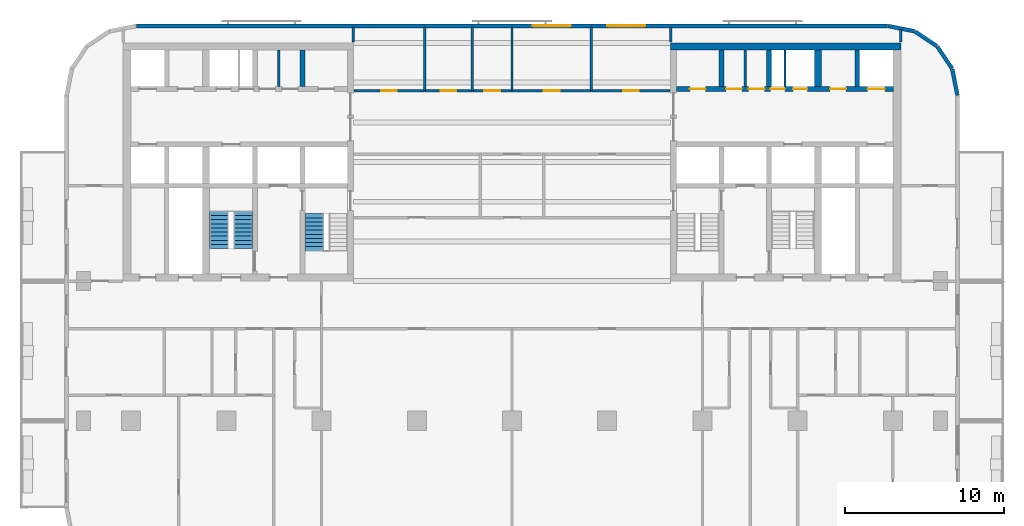
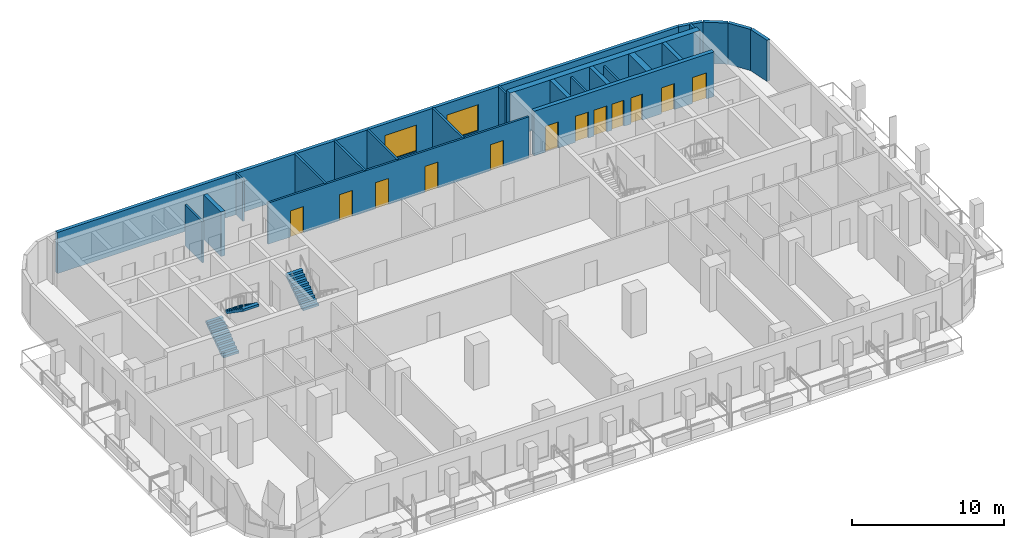
# One storey, part 7 of 11: 23 walls, 12 doors, 3 stair flights, 2 windows, 14 openings, 2 elements without a shape of their own.
"""IFC4 building model written with IfcOpenShell, lengths in metres."""

from ifc_helpers import new_model, si_unit, direction, frame, frame_2d, origin, place, context, subcontext, project, spatial, polyline, rectangle, outline, extrude, material, layer, layer_set, type_object, element, fill, aggregate, save


model = new_model("IFC4")

# Units and contexts
model_context = context("Model", 3, precision=1e-05, world=origin(), true_north=direction((0.0, 1.0)))
body_context = subcontext(model_context, "Body", "Model", "MODEL_VIEW")
ifc_project = project(units=[si_unit("LENGTHUNIT", "METRE"), si_unit("AREAUNIT", "SQUARE_METRE"), si_unit("VOLUMEUNIT", "CUBIC_METRE"), si_unit("PLANEANGLEUNIT", "RADIAN"), si_unit("MASSUNIT", "GRAM", prefix="KILO")], contexts=[model_context])

# Site, building, storey
site_placement = place(None, origin())
site = spatial("IfcSite", under=ifc_project, at=site_placement, CompositionType="ELEMENT")
building_placement = place(site_placement, origin())
building = spatial("IfcBuilding", under=site, at=building_placement, Name="Torana Hotel and Residences", CompositionType="ELEMENT")
storey_placement = place(building_placement, frame((0.0, 0.0, 123.60009765625)))
storey = spatial("IfcBuildingStorey", under=building, at=storey_placement, Name="L31", CompositionType="ELEMENT", Elevation=123.60009765625)

# Wall
ifc_material_1 = material(Name="Concrete C70/85", Category="concrete")
ifc_layer_1 = layer(ifc_material_1, 0.300048828125)
ifc_layer_set_1 = layer_set([ifc_layer_1], Name="CORE WALL 300 C70/85")
wall_type_1 = type_object("IfcWallType", Name="CORE WALL 300 C70/85", PredefinedType="SHEAR", material=ifc_layer_set_1)
wall_1_placement = place(storey_placement, frame((-13.199951171875, -2.75, 0.0), z_axis=(0.0, 0.0, 1.0), x_axis=(0.0, 1.0, 0.0)))
element("IfcWall", 1, at=wall_1_placement, inside=storey, type_object=wall_type_1, Name="Core wall W x3.05-N", PredefinedType="SHEAR", context=body_context, shape_type="SweptSolid", body=[
    extrude(rectangle(XDim=2.300048828125, YDim=0.300048828125, at=frame_2d((1.14990234375, 0.0))), origin(), (0.0, 0.0, 1.0), 3.599853515625),
])

# Wall, openings, doors
wall_2_placement = place(storey_placement, frame((10.35009765625, -2.89990234375, 0.0), z_axis=(0.0, 0.0, 1.0), x_axis=(1.0, 0.0, 0.0)))
wall_2 = element("IfcWall", 2, at=wall_2_placement, inside=storey, type_object=wall_type_1, Name="Core wall E row-N", PredefinedType="SHEAR", context=body_context, shape_type="SweptSolid", body=[
    extrude(rectangle(XDim=13.699951171875, YDim=0.300048828125, at=frame_2d((6.85009765625, 0.0))), origin(), (0.0, 0.0, 1.0), 3.599853515625),
])
opening_1_placement = place(wall_2_placement, frame((12.050048828125, 0.0, 0.0)))
opening_1 = element("IfcOpeningElement", 3, at=opening_1_placement, cuts=wall_2, Name="Opening LD", PredefinedType="OPENING", context=body_context, shape_type="SweptSolid", body=[
    extrude(rectangle(XDim=1.10009765625, YDim=2.10009765625, at=frame_2d((0.550048828125, 1.050048828125))), frame((0.0, 0.159912109375, 0.0), z_axis=(0.0, -1.0, 0.0), x_axis=(1.0, 0.0, 0.0)), (0.0, 0.0, 1.0), 0.320068359375),
])
opening_2_placement = place(wall_2_placement, frame((5.9375, 0.0, 0.0)))
opening_2 = element("IfcOpeningElement", 4, at=opening_2_placement, cuts=wall_2, Name="Opening L31-23", PredefinedType="OPENING", context=body_context, shape_type="SweptSolid", body=[
    extrude(rectangle(XDim=0.89990234375, YDim=2.10009765625, at=frame_2d((0.449951171875, 1.050048828125))), frame((0.0, 0.159912109375, 0.0), z_axis=(0.0, -1.0, 0.0), x_axis=(1.0, 0.0, 0.0)), (0.0, 0.0, 1.0), 0.320068359375),
])
opening_3_placement = place(wall_2_placement, frame((7.362548828125, 0.0, 0.0)))
opening_3 = element("IfcOpeningElement", 5, at=opening_3_placement, cuts=wall_2, Name="Opening L31-24", PredefinedType="OPENING", context=body_context, shape_type="SweptSolid", body=[
    extrude(rectangle(XDim=0.89990234375, YDim=2.10009765625, at=frame_2d((0.449951171875, 1.050048828125))), frame((0.0, 0.159912109375, 0.0), z_axis=(0.0, -1.0, 0.0), x_axis=(1.0, 0.0, 0.0)), (0.0, 0.0, 1.0), 0.320068359375),
])
opening_4_placement = place(wall_2_placement, frame((0.85009765625, 0.0, 0.0)))
opening_4 = element("IfcOpeningElement", 6, at=opening_4_placement, cuts=wall_2, Name="Opening L31-25", PredefinedType="OPENING", context=body_context, shape_type="SweptSolid", body=[
    extrude(rectangle(XDim=1.0, YDim=2.10009765625, at=frame_2d((0.5, 1.050048828125))), frame((0.0, 0.159912109375, 0.0), z_axis=(0.0, -1.0, 0.0), x_axis=(1.0, 0.0, 0.0)), (0.0, 0.0, 1.0), 0.320068359375),
])
opening_5_placement = place(wall_2_placement, frame((3.137451171875, 0.0, 0.0)))
opening_5 = element("IfcOpeningElement", 7, at=opening_5_placement, cuts=wall_2, Name="Opening L31-26", PredefinedType="OPENING", context=body_context, shape_type="SweptSolid", body=[
    extrude(rectangle(XDim=1.0, YDim=2.10009765625, at=frame_2d((0.5, 1.050048828125))), frame((0.0, 0.159912109375, 0.0), z_axis=(0.0, -1.0, 0.0), x_axis=(1.0, 0.0, 0.0)), (0.0, 0.0, 1.0), 0.320068359375),
])
opening_6_placement = place(wall_2_placement, frame((4.5625, 0.0, 0.0)))
opening_6 = element("IfcOpeningElement", 8, at=opening_6_placement, cuts=wall_2, Name="Opening L31-27", PredefinedType="OPENING", context=body_context, shape_type="SweptSolid", body=[
    extrude(rectangle(XDim=1.0, YDim=2.10009765625, at=frame_2d((0.5, 1.050048828125))), frame((0.0, 0.159912109375, 0.0), z_axis=(0.0, -1.0, 0.0), x_axis=(1.0, 0.0, 0.0)), (0.0, 0.0, 1.0), 0.320068359375),
])
opening_7_placement = place(wall_2_placement, frame((9.699951171875, 0.0, 0.0)))
opening_7 = element("IfcOpeningElement", 9, at=opening_7_placement, cuts=wall_2, Name="Opening L31-28", PredefinedType="OPENING", context=body_context, shape_type="SweptSolid", body=[
    extrude(rectangle(XDim=1.0, YDim=2.10009765625, at=frame_2d((0.5, 1.050048828125))), frame((0.0, 0.159912109375, 0.0), z_axis=(0.0, -1.0, 0.0), x_axis=(1.0, 0.0, 0.0)), (0.0, 0.0, 1.0), 0.320068359375),
])
ifc_material_2 = material(Name="Steel S235", Category="steel")
door_type_1 = type_object("IfcDoorType", Name="CORE ROOM FIRE DOOR D14 1000x2100", OperationType="SINGLE_SWING_LEFT", PredefinedType="DOOR", material=ifc_material_2)
door_1_placement = place(opening_4_placement, origin())
door_1 = element("IfcDoor", 10, at=door_1_placement, inside=storey, type_object=door_type_1, Name="N0 door L31", OperationType="SINGLE_SWING_RIGHT", OverallHeight=2.10009765625, OverallWidth=1.0, PredefinedType="DOOR", context=body_context, shape_type="SweptSolid", body=[
    extrude(rectangle(XDim=1.0, YDim=2.10009765625, at=frame_2d((0.5, 1.050048828125))), frame((0.0, 0.02490234375, 0.0), z_axis=(0.0, -1.0, 0.0), x_axis=(1.0, 0.0, 0.0)), (0.0, 0.0, 1.0), 0.050048828125),
])
fill(opening_4, door_1)
door_2_placement = place(opening_5_placement, origin())
door_2 = element("IfcDoor", 11, at=door_2_placement, inside=storey, type_object=door_type_1, Name="N1A door L31", OperationType="SINGLE_SWING_RIGHT", OverallHeight=2.10009765625, OverallWidth=1.0, PredefinedType="DOOR", context=body_context, shape_type="SweptSolid", body=[
    extrude(rectangle(XDim=1.0, YDim=2.10009765625, at=frame_2d((0.5, 1.050048828125))), frame((0.0, 0.02490234375, 0.0), z_axis=(0.0, -1.0, 0.0), x_axis=(1.0, 0.0, 0.0)), (0.0, 0.0, 1.0), 0.050048828125),
])
fill(opening_5, door_2)
door_3_placement = place(opening_6_placement, origin())
door_3 = element("IfcDoor", 12, at=door_3_placement, inside=storey, type_object=door_type_1, Name="N1B door L31", OperationType="SINGLE_SWING_RIGHT", OverallHeight=2.10009765625, OverallWidth=1.0, PredefinedType="DOOR", context=body_context, shape_type="SweptSolid", body=[
    extrude(rectangle(XDim=1.0, YDim=2.10009765625, at=frame_2d((0.5, 1.050048828125))), frame((0.0, 0.02490234375, 0.0), z_axis=(0.0, -1.0, 0.0), x_axis=(1.0, 0.0, 0.0)), (0.0, 0.0, 1.0), 0.050048828125),
])
fill(opening_6, door_3)
door_4_placement = place(opening_7_placement, origin())
door_4 = element("IfcDoor", 13, at=door_4_placement, inside=storey, type_object=door_type_1, Name="Freed-S2 door L31", OperationType="SINGLE_SWING_RIGHT", OverallHeight=2.10009765625, OverallWidth=1.0, PredefinedType="DOOR", context=body_context, shape_type="SweptSolid", body=[
    extrude(rectangle(XDim=1.0, YDim=2.10009765625, at=frame_2d((0.5, 1.050048828125))), frame((0.0, 0.02490234375, 0.0), z_axis=(0.0, -1.0, 0.0), x_axis=(1.0, 0.0, 0.0)), (0.0, 0.0, 1.0), 0.050048828125),
])
fill(opening_7, door_4)
ifc_material_3 = material(Name="Stainless steel 316", Category="steel")
door_type_2 = type_object("IfcDoorType", Name="LIFT LANDING DOOR LD 1100x2100", OperationType="DOUBLE_DOOR_SLIDING", PredefinedType="USERDEFINED", material=ifc_material_3)
door_5_placement = place(opening_1_placement, origin())
door_5 = element("IfcDoor", 14, at=door_5_placement, inside=storey, type_object=door_type_2, Name="Lift landing door M3 L31", ObjectType="LIFT LANDING DOOR", OperationType="DOUBLE_DOOR_SLIDING", OverallHeight=2.10009765625, OverallWidth=1.10009765625, PredefinedType="USERDEFINED", context=body_context, shape_type="SweptSolid", body=[
    extrude(rectangle(XDim=1.10009765625, YDim=2.10009765625, at=frame_2d((0.550048828125, 1.050048828125))), frame((0.0, 0.02490234375, 0.0), z_axis=(0.0, -1.0, 0.0), x_axis=(1.0, 0.0, 0.0)), (0.0, 0.0, 1.0), 0.050048828125),
])
fill(opening_1, door_5)
ifc_material_4 = material(Name="Steel S235", Category="steel")
door_type_3 = type_object("IfcDoorType", Name="RISER ACCESS DOOR D5 900x2100", OperationType="SINGLE_SWING_LEFT", PredefinedType="DOOR", material=ifc_material_4)
door_6_placement = place(opening_2_placement, origin())
door_6 = element("IfcDoor", 15, at=door_6_placement, inside=storey, type_object=door_type_3, Name="N2A door L31", OperationType="SINGLE_SWING_RIGHT", OverallHeight=2.10009765625, OverallWidth=0.89990234375, PredefinedType="DOOR", context=body_context, shape_type="SweptSolid", body=[
    extrude(rectangle(XDim=0.89990234375, YDim=2.10009765625, at=frame_2d((0.449951171875, 1.050048828125))), frame((0.0, 0.02490234375, 0.0), z_axis=(0.0, -1.0, 0.0), x_axis=(1.0, 0.0, 0.0)), (0.0, 0.0, 1.0), 0.050048828125),
])
fill(opening_2, door_6)
door_7_placement = place(opening_3_placement, origin())
door_7 = element("IfcDoor", 16, at=door_7_placement, inside=storey, type_object=door_type_3, Name="N2B door L31", OperationType="SINGLE_SWING_RIGHT", OverallHeight=2.10009765625, OverallWidth=0.89990234375, PredefinedType="DOOR", context=body_context, shape_type="SweptSolid", body=[
    extrude(rectangle(XDim=0.89990234375, YDim=2.10009765625, at=frame_2d((0.449951171875, 1.050048828125))), frame((0.0, 0.02490234375, 0.0), z_axis=(0.0, -1.0, 0.0), x_axis=(1.0, 0.0, 0.0)), (0.0, 0.0, 1.0), 0.050048828125),
])
fill(opening_3, door_7)

# Walls
for number, where, z_axis, x_axis, name in (
    (17, (13.199951171875, -2.75, 0.0), (0.0, 0.0, 1.0), (0.0, 1.0, 0.0), "Core wall E x3.05-N"),
    (18, (16.199951171875, -2.75, 0.0), (0.0, 0.0, 1.0), (0.0, 1.0, 0.0), "Core wall E x6.05-N"),
    (19, (21.75, -2.75, 0.0), (0.0, 0.0, 1.0), (0.0, 1.0, 0.0), "Core wall E mm-N"),
):
    element("IfcWall", number, at=place(storey_placement, frame(where, z_axis=z_axis, x_axis=x_axis)), inside=storey, type_object=wall_type_1, Name=name, PredefinedType="SHEAR", context=body_context, shape_type="SweptSolid", body=[
        extrude(rectangle(XDim=2.300048828125, YDim=0.300048828125, at=frame_2d((1.14990234375, 0.0))), origin(), (0.0, 0.0, 1.0), 3.599853515625),
    ])
ifc_material_5 = material(Name="Concrete C70/85", Category="concrete")
ifc_layer_2 = layer(ifc_material_5, 0.449951171875)
ifc_layer_set_2 = layer_set([ifc_layer_2], Name="CORE WALL 450 C70/85")
wall_type_2 = type_object("IfcWallType", Name="CORE WALL 450 C70/85", PredefinedType="SHEAR", material=ifc_layer_set_2)
wall_3_placement = place(storey_placement, frame((10.0, -0.22509765625, 0.0), z_axis=(0.0, 0.0, 1.0), x_axis=(1.0, 0.0, 0.0)))
element("IfcWall", 20, at=wall_3_placement, inside=storey, type_object=wall_type_2, Name="Core wall E rear", PredefinedType="SHEAR", context=body_context, shape_type="SweptSolid", body=[
    extrude(rectangle(XDim=14.5, YDim=0.449951171875, at=frame_2d((7.25, 0.0))), origin(), (0.0, 0.0, 1.0), 3.599853515625),
])
wall_4_placement = place(storey_placement, frame((19.27490234375, -2.75, 0.0), z_axis=(0.0, 0.0, 1.0), x_axis=(0.0, 1.0, 0.0)))
element("IfcWall", 21, at=wall_4_placement, inside=storey, type_object=wall_type_2, Name="Core wall E hm-N", PredefinedType="SHEAR", context=body_context, shape_type="SweptSolid", body=[
    extrude(rectangle(XDim=2.300048828125, YDim=0.449951171875, at=frame_2d((1.14990234375, 0.0))), origin(), (0.0, 0.0, 1.0), 3.599853515625),
])
ifc_material_6 = material(Name="Black aluminium composite panel", Category="aluminium")
ifc_layer_3 = layer(ifc_material_6, 0.00390625, Name="Cladding", Category="cladding")
ifc_material_7 = material(Name="Ventilated air cavity")
ifc_layer_4 = layer(ifc_material_7, 0.0400390625, Name="Ventilated cavity", Category="cavity")
ifc_material_8 = material(Name="Mineral wool insulation")
ifc_layer_5 = layer(ifc_material_8, 0.090087890625, Name="Insulation", Category="insulation")
ifc_material_9 = material(Name="Steel S280GD", Category="steel")
ifc_layer_6 = layer(ifc_material_9, 0.092041015625, Name="Steel stud frame", Category="structure")
ifc_material_10 = material(Name="Fire rated plasterboard")
ifc_layer_7 = layer(ifc_material_10, 0.011962890625, Name="Inner board", Category="finish")
ifc_layer_8 = layer(ifc_material_10, 0.011962890625, Name="Second board", Category="finish")
ifc_layer_set_3 = layer_set([ifc_layer_3, ifc_layer_4, ifc_layer_5, ifc_layer_6, ifc_layer_7, ifc_layer_8], Name="EW1 EXTERNAL WALL BLACK METAL CLAD 250")
wall_type_3 = type_object("IfcWallType", Name="EW1 EXTERNAL WALL BLACK METAL CLAD 250", PredefinedType="SOLIDWALL", material=ifc_layer_set_3)
wall_5_placement = place(storey_placement, frame((28.072509765625, -3.30029296875, 0.0), z_axis=(0.0, 0.0, 1.0), x_axis=(-0.194999110559, 0.980803419081, 0.0)))
element("IfcWall", 22, at=wall_5_placement, inside=storey, type_object=wall_type_3, Name="External wall L31 e0.0", PredefinedType="SOLIDWALL", context=body_context, shape_type="SweptSolid", body=[
    extrude(rectangle(XDim=1.681396484375, YDim=0.25, at=frame_2d((0.8408203125, 0.0))), origin(), (0.0, 0.0, 1.0), 3.31982421875),
])
for number, where, z_axis, x_axis, name in (
    (23, (27.725830078125, -1.60595703125, 0.0), (0.0, 0.0, 1.0), (-0.55555029066, 0.831482937015, 0.0), "External wall L31 e0.1"),
    (24, (26.771240234375, -0.1943359375, 0.0), (0.0, 0.0, 1.0), (-0.831482937015, 0.55555029066, 0.0), "External wall L31 e0.2"),
):
    element("IfcWall", number, at=place(storey_placement, frame(where, z_axis=z_axis, x_axis=x_axis)), inside=storey, type_object=wall_type_3, Name=name, PredefinedType="SOLIDWALL", context=body_context, shape_type="SweptSolid", body=[
        extrude(rectangle(XDim=1.65625, YDim=0.25, at=frame_2d((0.828125, 0.0))), origin(), (0.0, 0.0, 1.0), 3.31982421875),
    ])
wall_6_placement = place(storey_placement, frame((25.348876953125, 0.74462890625, 0.0), z_axis=(0.0, 0.0, 1.0), x_axis=(-0.980803419081, 0.194999110559, 0.0)))
element("IfcWall", 25, at=wall_6_placement, inside=storey, type_object=wall_type_3, Name="External wall L31 e0.3", PredefinedType="SOLIDWALL", context=body_context, shape_type="SweptSolid", body=[
    extrude(rectangle(XDim=1.681396484375, YDim=0.25, at=frame_2d((0.8408203125, 0.0))), origin(), (0.0, 0.0, 1.0), 3.31982421875),
])

# Wall, openings, windows
ifc_material_11 = material(Name="Concrete C40/50 precast", Category="concrete")
ifc_layer_9 = layer(ifc_material_11, 0.10009765625, Name="Perforated block", Category="cladding")
ifc_material_12 = material(Name="Air cavity")
ifc_layer_10 = layer(ifc_material_12, 0.030029296875, Name="Cavity", Category="cavity")
ifc_material_13 = material(Name="Concrete C40/50", Category="concrete")
ifc_layer_11 = layer(ifc_material_13, 0.10009765625, Name="Wall", Category="structure")
ifc_material_14 = material(Name="Plaster and paint")
ifc_layer_12 = layer(ifc_material_14, 0.02001953125, Name="Inner finish", Category="finish")
ifc_layer_set_4 = layer_set([ifc_layer_9, ifc_layer_10, ifc_layer_11, ifc_layer_12], Name="EW2 PERFORATED BLOCK SCREEN WALL 250")
wall_type_4 = type_object("IfcWallType", Name="EW2 PERFORATED BLOCK SCREEN WALL 250", PredefinedType="SOLIDWALL", material=ifc_layer_set_4)
wall_7_placement = place(storey_placement, frame((23.67529296875, 1.074951171875, 0.0), z_axis=(0.0, 0.0, 1.0), x_axis=(-1.0, 0.0, 0.0)))
wall_7 = element("IfcWall", 26, at=wall_7_placement, inside=storey, type_object=wall_type_4, Name="External wall L31 e0.4", PredefinedType="SOLIDWALL", context=body_context, shape_type="SweptSolid", body=[
    extrude(rectangle(XDim=47.3505859375, YDim=0.25, at=frame_2d((23.67529296875, 0.0))), origin(), (0.0, 0.0, 1.0), 3.31982421875),
])
opening_8_placement = place(wall_7_placement, frame((15.275390625, 0.0, 0.300048828125)))
opening_8 = element("IfcOpeningElement", 27, at=opening_8_placement, cuts=wall_7, Name="Opening W1", PredefinedType="OPENING", context=body_context, shape_type="SweptSolid", body=[
    extrude(rectangle(XDim=2.39990234375, YDim=2.10009765625, at=frame_2d((1.199951171875, 1.050048828125))), frame((0.0, 0.135009765625, 0.0), z_axis=(0.0, -1.0, 0.0), x_axis=(1.0, 0.0, 0.0)), (0.0, 0.0, 1.0), 0.27001953125),
])
opening_9_placement = place(wall_7_placement, frame((19.975341796875, 0.0, 0.300048828125)))
opening_9 = element("IfcOpeningElement", 28, at=opening_9_placement, cuts=wall_7, Name="Opening W1", PredefinedType="OPENING", context=body_context, shape_type="SweptSolid", body=[
    extrude(rectangle(XDim=2.39990234375, YDim=2.10009765625, at=frame_2d((1.199951171875, 1.050048828125))), frame((0.0, 0.135009765625, 0.0), z_axis=(0.0, -1.0, 0.0), x_axis=(1.0, 0.0, 0.0)), (0.0, 0.0, 1.0), 0.27001953125),
])
ifc_material_15 = material(Name="Dark glass in black aluminium frame", Category="aluminium")
window_type = type_object("IfcWindowType", Name="W1 HOTEL ROOM WINDOW 2400x2100", PartitioningType="SINGLE_PANEL", PredefinedType="WINDOW", material=ifc_material_15)
window_1_placement = place(opening_8_placement, origin())
window_1 = element("IfcWindow", 29, at=window_1_placement, inside=storey, type_object=window_type, Name="Window L31", OverallHeight=2.10009765625, OverallWidth=2.39990234375, PartitioningType="SINGLE_PANEL", PredefinedType="WINDOW", context=body_context, shape_type="SweptSolid", body=[
    extrude(rectangle(XDim=2.39990234375, YDim=2.10009765625, at=frame_2d((1.199951171875, 1.050048828125))), frame((0.0, 0.030029296875, 0.0), z_axis=(0.0, -1.0, 0.0), x_axis=(1.0, 0.0, 0.0)), (0.0, 0.0, 1.0), 0.06005859375),
])
fill(opening_8, window_1)
window_2_placement = place(opening_9_placement, origin())
window_2 = element("IfcWindow", 30, at=window_2_placement, inside=storey, type_object=window_type, Name="Window L31", OverallHeight=2.10009765625, OverallWidth=2.39990234375, PartitioningType="SINGLE_PANEL", PredefinedType="WINDOW", context=body_context, shape_type="SweptSolid", body=[
    extrude(rectangle(XDim=2.39990234375, YDim=2.10009765625, at=frame_2d((1.199951171875, 1.050048828125))), frame((0.0, 0.030029296875, 0.0), z_axis=(0.0, -1.0, 0.0), x_axis=(1.0, 0.0, 0.0)), (0.0, 0.0, 1.0), 0.06005859375),
])
fill(opening_9, window_2)

# Walls
ifc_material_16 = material(Name="Gypsum plaster")
ifc_layer_13 = layer(ifc_material_16, 0.014892578125, Name="Plaster", Category="finish")
ifc_material_17 = material(Name="Concrete blockwork", Category="masonry")
ifc_layer_14 = layer(ifc_material_17, 0.1201171875, Name="Blockwork", Category="structure")
ifc_layer_15 = layer(ifc_material_16, 0.014892578125, Name="Plaster", Category="finish")
ifc_layer_set_5 = layer_set([ifc_layer_13, ifc_layer_14, ifc_layer_15], Name="FIRE PARTITION 150 BLOCKWORK")
wall_type_5 = type_object("IfcWallType", Name="FIRE PARTITION 150 BLOCKWORK", PredefinedType="PARTITIONING", material=ifc_layer_set_5)
for number, where, z_axis, x_axis, name in (
    (31, (-14.699951171875, -2.75, 0.0), (0.0, 0.0, 1.0), (0.0, 1.0, 0.0), "Core partition L31"),
    (32, (17.199951171875, -2.75, 0.0), (0.0, 0.0, 1.0), (0.0, 1.0, 0.0), "Core partition L31"),
    (33, (14.699951171875, -2.75, 0.0), (0.0, 0.0, 1.0), (0.0, 1.0, 0.0), "Core partition L31"),
):
    element("IfcWall", number, at=place(storey_placement, frame(where, z_axis=z_axis, x_axis=x_axis)), inside=storey, type_object=wall_type_5, Name=name, PredefinedType="PARTITIONING", context=body_context, shape_type="SweptSolid", body=[
        extrude(rectangle(XDim=2.300048828125, YDim=0.14990234375, at=frame_2d((1.14990234375, 0.0))), origin(), (0.0, 0.0, 1.0), 3.2998046875),
    ])

# Wall, openings, doors
wall_8_placement = place(storey_placement, frame((-9.949951171875, -3.0, 0.0), z_axis=(0.0, 0.0, 1.0), x_axis=(1.0, 0.0, 0.0)))
wall_8 = element("IfcWall", 34, at=wall_8_placement, inside=storey, type_object=wall_type_5, Name="Partition L31", PredefinedType="PARTITIONING", context=body_context, shape_type="SweptSolid", body=[
    extrude(rectangle(XDim=19.89990234375, YDim=0.14990234375, at=frame_2d((9.949951171875, 0.0))), origin(), (0.0, 0.0, 1.0), 3.31982421875),
])
opening_10_placement = place(wall_8_placement, frame((1.699951171875, 0.0, 0.0)))
opening_10 = element("IfcOpeningElement", 35, at=opening_10_placement, cuts=wall_8, Name="Opening L31-46", PredefinedType="OPENING", context=body_context, shape_type="SweptSolid", body=[
    extrude(rectangle(XDim=1.0, YDim=2.10009765625, at=frame_2d((0.5, 1.050048828125))), frame((0.0, 0.0849609375, 0.0), z_axis=(0.0, -1.0, 0.0), x_axis=(1.0, 0.0, 0.0)), (0.0, 0.0, 1.0), 0.169921875),
])
opening_11_placement = place(wall_8_placement, frame((5.449951171875, 0.0, 0.0)))
opening_11 = element("IfcOpeningElement", 36, at=opening_11_placement, cuts=wall_8, Name="Opening L31-47", PredefinedType="OPENING", context=body_context, shape_type="SweptSolid", body=[
    extrude(rectangle(XDim=1.0, YDim=2.10009765625, at=frame_2d((0.5, 1.050048828125))), frame((0.0, 0.0849609375, 0.0), z_axis=(0.0, -1.0, 0.0), x_axis=(1.0, 0.0, 0.0)), (0.0, 0.0, 1.0), 0.169921875),
])
opening_12_placement = place(wall_8_placement, frame((8.199951171875, 0.0, 0.0)))
opening_12 = element("IfcOpeningElement", 37, at=opening_12_placement, cuts=wall_8, Name="Opening L31-48", PredefinedType="OPENING", context=body_context, shape_type="SweptSolid", body=[
    extrude(rectangle(XDim=1.0, YDim=2.10009765625, at=frame_2d((0.5, 1.050048828125))), frame((0.0, 0.0849609375, 0.0), z_axis=(0.0, -1.0, 0.0), x_axis=(1.0, 0.0, 0.0)), (0.0, 0.0, 1.0), 0.169921875),
])
opening_13_placement = place(wall_8_placement, frame((11.949951171875, 0.0, 0.0)))
opening_13 = element("IfcOpeningElement", 38, at=opening_13_placement, cuts=wall_8, Name="Opening L31-49", PredefinedType="OPENING", context=body_context, shape_type="SweptSolid", body=[
    extrude(rectangle(XDim=1.0, YDim=2.10009765625, at=frame_2d((0.5, 1.050048828125))), frame((0.0, 0.0849609375, 0.0), z_axis=(0.0, -1.0, 0.0), x_axis=(1.0, 0.0, 0.0)), (0.0, 0.0, 1.0), 0.169921875),
])
opening_14_placement = place(wall_8_placement, frame((16.949951171875, 0.0, 0.0)))
opening_14 = element("IfcOpeningElement", 39, at=opening_14_placement, cuts=wall_8, Name="Opening L31-50", PredefinedType="OPENING", context=body_context, shape_type="SweptSolid", body=[
    extrude(rectangle(XDim=1.0, YDim=2.10009765625, at=frame_2d((0.5, 1.050048828125))), frame((0.0, 0.0849609375, 0.0), z_axis=(0.0, -1.0, 0.0), x_axis=(1.0, 0.0, 0.0)), (0.0, 0.0, 1.0), 0.169921875),
])
ifc_material_18 = material(Name="Steel S235", Category="steel")
door_type_4 = type_object("IfcDoorType", Name="ENTRY FIRE DOOR D6 1000x2100", OperationType="SINGLE_SWING_LEFT", PredefinedType="DOOR", material=ifc_material_18)
door_8_placement = place(opening_10_placement, origin())
door_8 = element("IfcDoor", 40, at=door_8_placement, inside=storey, type_object=door_type_4, Name="Door L31", OperationType="SINGLE_SWING_RIGHT", OverallHeight=2.10009765625, OverallWidth=1.0, PredefinedType="DOOR", context=body_context, shape_type="SweptSolid", body=[
    extrude(rectangle(XDim=1.0, YDim=2.10009765625, at=frame_2d((0.5, 1.050048828125))), frame((0.0, 0.02490234375, 0.0), z_axis=(0.0, -1.0, 0.0), x_axis=(1.0, 0.0, 0.0)), (0.0, 0.0, 1.0), 0.050048828125),
])
fill(opening_10, door_8)
door_9_placement = place(opening_11_placement, origin())
door_9 = element("IfcDoor", 41, at=door_9_placement, inside=storey, type_object=door_type_4, Name="Door L31", OperationType="SINGLE_SWING_RIGHT", OverallHeight=2.10009765625, OverallWidth=1.0, PredefinedType="DOOR", context=body_context, shape_type="SweptSolid", body=[
    extrude(rectangle(XDim=1.0, YDim=2.10009765625, at=frame_2d((0.5, 1.050048828125))), frame((0.0, 0.02490234375, 0.0), z_axis=(0.0, -1.0, 0.0), x_axis=(1.0, 0.0, 0.0)), (0.0, 0.0, 1.0), 0.050048828125),
])
fill(opening_11, door_9)
door_10_placement = place(opening_12_placement, origin())
door_10 = element("IfcDoor", 42, at=door_10_placement, inside=storey, type_object=door_type_4, Name="Door L31", OperationType="SINGLE_SWING_RIGHT", OverallHeight=2.10009765625, OverallWidth=1.0, PredefinedType="DOOR", context=body_context, shape_type="SweptSolid", body=[
    extrude(rectangle(XDim=1.0, YDim=2.10009765625, at=frame_2d((0.5, 1.050048828125))), frame((0.0, 0.02490234375, 0.0), z_axis=(0.0, -1.0, 0.0), x_axis=(1.0, 0.0, 0.0)), (0.0, 0.0, 1.0), 0.050048828125),
])
fill(opening_12, door_10)
door_11_placement = place(opening_13_placement, origin())
door_11 = element("IfcDoor", 43, at=door_11_placement, inside=storey, type_object=door_type_4, Name="Door L31", OperationType="SINGLE_SWING_RIGHT", OverallHeight=2.10009765625, OverallWidth=1.0, PredefinedType="DOOR", context=body_context, shape_type="SweptSolid", body=[
    extrude(rectangle(XDim=1.0, YDim=2.10009765625, at=frame_2d((0.5, 1.050048828125))), frame((0.0, 0.02490234375, 0.0), z_axis=(0.0, -1.0, 0.0), x_axis=(1.0, 0.0, 0.0)), (0.0, 0.0, 1.0), 0.050048828125),
])
fill(opening_13, door_11)
door_12_placement = place(opening_14_placement, origin())
door_12 = element("IfcDoor", 44, at=door_12_placement, inside=storey, type_object=door_type_4, Name="Door L31", OperationType="SINGLE_SWING_RIGHT", OverallHeight=2.10009765625, OverallWidth=1.0, PredefinedType="DOOR", context=body_context, shape_type="SweptSolid", body=[
    extrude(rectangle(XDim=1.0, YDim=2.10009765625, at=frame_2d((0.5, 1.050048828125))), frame((0.0, 0.02490234375, 0.0), z_axis=(0.0, -1.0, 0.0), x_axis=(1.0, 0.0, 0.0)), (0.0, 0.0, 1.0), 0.050048828125),
])
fill(opening_14, door_12)

# Walls
ifc_material_19 = material(Name="Gypsum plasterboard")
ifc_layer_16 = layer(ifc_material_19, 0.012451171875, Name="Plasterboard", Category="finish")
ifc_layer_17 = layer(ifc_material_19, 0.012451171875, Name="Plasterboard", Category="finish")
ifc_layer_18 = layer(ifc_material_9, 0.10009765625, Name="Steel studs with mineral wool", Category="insulation")
ifc_layer_19 = layer(ifc_material_19, 0.012451171875, Name="Plasterboard", Category="finish")
ifc_layer_20 = layer(ifc_material_19, 0.012451171875, Name="Plasterboard", Category="finish")
ifc_layer_set_6 = layer_set([ifc_layer_16, ifc_layer_17, ifc_layer_18, ifc_layer_19, ifc_layer_20], Name="PARTITION 150 PLASTERBOARD")
wall_type_6 = type_object("IfcWallType", Name="PARTITION 150 PLASTERBOARD", PredefinedType="PARTITIONING", material=ifc_layer_set_6)
wall_9_placement = place(storey_placement, frame((24.5, 0.050048828125, 0.0), z_axis=(0.0, 0.0, 1.0), x_axis=(0.0, 1.0, 0.0)))
element("IfcWall", 45, at=wall_9_placement, inside=storey, type_object=wall_type_6, Name="Partition L31", PredefinedType="PARTITIONING", context=body_context, shape_type="SweptSolid", body=[
    extrude(rectangle(XDim=0.807373046875, YDim=0.14990234375, at=frame_2d((0.40380859375, 0.0))), origin(), (0.0, 0.0, 1.0), 3.31982421875),
])
wall_10_placement = place(storey_placement, frame((10.0, 0.050048828125, 0.0), z_axis=(0.0, 0.0, 1.0), x_axis=(0.0, 1.0, 0.0)))
element("IfcWall", 46, at=wall_10_placement, inside=storey, type_object=wall_type_6, Name="Partition L31", PredefinedType="PARTITIONING", context=body_context, shape_type="SweptSolid", body=[
    extrude(rectangle(XDim=0.969970703125, YDim=0.14990234375, at=frame_2d((0.48486328125, 0.0))), origin(), (0.0, 0.0, 1.0), 3.31982421875),
])
wall_11_placement = place(storey_placement, frame((5.0, -3.0, 0.0), z_axis=(0.0, 0.0, 1.0), x_axis=(0.0, 1.0, 0.0)))
element("IfcWall", 47, at=wall_11_placement, inside=storey, type_object=wall_type_6, Name="Partition L31", PredefinedType="PARTITIONING", context=body_context, shape_type="SweptSolid", body=[
    extrude(rectangle(XDim=4.02001953125, YDim=0.14990234375, at=frame_2d((2.010009765625, 0.0))), origin(), (0.0, 0.0, 1.0), 3.31982421875),
])
wall_12_placement = place(storey_placement, frame((-10.0, 0.050048828125, 0.0), z_axis=(0.0, 0.0, 1.0), x_axis=(0.0, 1.0, 0.0)))
element("IfcWall", 48, at=wall_12_placement, inside=storey, type_object=wall_type_6, Name="Partition L31", PredefinedType="PARTITIONING", context=body_context, shape_type="SweptSolid", body=[
    extrude(rectangle(XDim=0.969970703125, YDim=0.14990234375, at=frame_2d((0.48486328125, 0.0))), origin(), (0.0, 0.0, 1.0), 3.31982421875),
])
ifc_material_20 = material(Name="Ceramic tile on adhesive")
ifc_layer_21 = layer(ifc_material_20, 0.010009765625, Name="Wall tile", Category="finish")
ifc_material_21 = material(Name="Cement render")
ifc_layer_22 = layer(ifc_material_21, 0.010009765625, Name="Render", Category="finish")
ifc_layer_23 = layer(ifc_material_17, 0.110107421875, Name="Blockwork", Category="structure")
ifc_layer_24 = layer(ifc_material_21, 0.010009765625, Name="Render", Category="finish")
ifc_layer_25 = layer(ifc_material_20, 0.010009765625, Name="Wall tile", Category="finish")
ifc_layer_set_7 = layer_set([ifc_layer_21, ifc_layer_22, ifc_layer_23, ifc_layer_24, ifc_layer_25], Name="WC PARTITION 150")
wall_type_7 = type_object("IfcWallType", Name="WC PARTITION 150", PredefinedType="PLUMBINGWALL", material=ifc_layer_set_7)
for number, where, z_axis, x_axis, name in (
    (49, (0.0, -3.0, 0.0), (0.0, 0.0, 1.0), (0.0, 1.0, 0.0), "Partition L31"),
    (50, (-2.5, -3.0, 0.0), (0.0, 0.0, 1.0), (0.0, 1.0, 0.0), "Partition L31"),
    (51, (-5.5, -3.0, 0.0), (0.0, 0.0, 1.0), (0.0, 1.0, 0.0), "Partition L31"),
):
    element("IfcWall", number, at=place(storey_placement, frame(where, z_axis=z_axis, x_axis=x_axis)), inside=storey, type_object=wall_type_7, Name=name, PredefinedType="PLUMBINGWALL", context=body_context, shape_type="SweptSolid", body=[
        extrude(rectangle(XDim=4.02001953125, YDim=0.14990234375, at=frame_2d((2.010009765625, 0.0))), origin(), (0.0, 0.0, 1.0), 3.31982421875),
    ])

# Stair, stair flight
ifc_material_22 = material(Name="Concrete C40/50 precast", Category="concrete")
stair_type_1 = type_object("IfcStairType", Name="STAIR ST1 HALF TURN 1200", PredefinedType="HALF_TURN_STAIR", material=ifc_material_22)
stair_1_placement = place(storey_placement, origin())
stair_1 = element("IfcStair", 52, at=stair_1_placement, inside=storey, type_object=stair_type_1, Name="Stair ST1 L31", PredefinedType="HALF_TURN_STAIR")
ifc_material_23 = material(Name="Concrete C40/50 precast", Category="concrete")
stair_flight_type = type_object("IfcStairFlightType", Name="STAIR FLIGHT 1200 PRECAST", PredefinedType="STRAIGHT", material=ifc_material_23)
stair_flight_1_placement = place(storey_placement, frame((-12.449951171875, -13.090087890625, 1.7998046875), z_axis=(0.0, 0.0, 1.0), x_axis=(0.0, 1.0, 0.0)))
stair_flight_1 = element("IfcStairFlight", 53, at=stair_flight_1_placement, type_object=stair_flight_type, Name="ST1 flight 2", NumberOfRisers=10, NumberOfTreads=9, PredefinedType="STRAIGHT", RiserHeight=0.18, TreadLength=0.26, context=body_context, shape_type="SweptSolid", body=[
    extrude(outline(polyline([(0.0, 0.0), (0.0, 0.179931640625), (0.260009765625, 0.179931640625), (0.260009765625, 0.360107421875), (0.52001953125, 0.360107421875), (0.52001953125, 0.5400390625), (0.780029296875, 0.5400390625), (0.780029296875, 0.719970703125), (1.0400390625, 0.719970703125), (1.0400390625, 0.89990234375), (1.300048828125, 0.89990234375), (1.300048828125, 1.080078125), (1.56005859375, 1.080078125), (1.56005859375, 1.260009765625), (1.820068359375, 1.260009765625), (1.820068359375, 1.43994140625), (2.080078125, 1.43994140625), (2.080078125, 1.6201171875), (2.340087890625, 1.6201171875), (2.340087890625, 1.800048828125), (2.340087890625, 1.437744140625), (0.263427734375, 0.0), (0.0, 0.0)])), frame((0.0, 0.60009765625, 0.0), z_axis=(0.0, -1.0, 0.0), x_axis=(1.0, 0.0, 0.0)), (0.0, 0.0, 1.0), 1.199951171875),
])
aggregate(stair_1, [stair_flight_1])

# Stair, stair flights
ifc_material_24 = material(Name="Concrete C40/50 precast", Category="concrete")
stair_type_2 = type_object("IfcStairType", Name="STAIR ST2 HALF TURN 1200", PredefinedType="HALF_TURN_STAIR", material=ifc_material_24)
stair_2_placement = place(storey_placement, origin())
stair_2 = element("IfcStair", 54, at=stair_2_placement, inside=storey, type_object=stair_type_2, Name="Stair ST2 L31", PredefinedType="HALF_TURN_STAIR")
stair_flight_2_placement = place(storey_placement, frame((-18.449951171875, -12.949951171875, 0.0), z_axis=(0.0, 0.0, 1.0), x_axis=(0.0, 1.0, 0.0)))
stair_flight_2 = element("IfcStairFlight", 55, at=stair_flight_2_placement, type_object=stair_flight_type, Name="ST2 flight 1", NumberOfRisers=10, NumberOfTreads=9, PredefinedType="STRAIGHT", RiserHeight=0.18, TreadLength=0.26, context=body_context, shape_type="SweptSolid", body=[
    extrude(outline(polyline([(0.0, 0.0), (0.0, 0.179931640625), (0.260009765625, 0.179931640625), (0.260009765625, 0.360107421875), (0.52001953125, 0.360107421875), (0.52001953125, 0.5400390625), (0.780029296875, 0.5400390625), (0.780029296875, 0.719970703125), (1.0400390625, 0.719970703125), (1.0400390625, 0.89990234375), (1.300048828125, 0.89990234375), (1.300048828125, 1.080078125), (1.56005859375, 1.080078125), (1.56005859375, 1.260009765625), (1.820068359375, 1.260009765625), (1.820068359375, 1.43994140625), (2.080078125, 1.43994140625), (2.080078125, 1.6201171875), (2.340087890625, 1.6201171875), (2.340087890625, 1.800048828125), (2.340087890625, 1.437744140625), (0.263427734375, 0.0), (0.0, 0.0)])), frame((0.0, 0.60009765625, 0.0), z_axis=(0.0, -1.0, 0.0), x_axis=(1.0, 0.0, 0.0)), (0.0, 0.0, 1.0), 1.199951171875),
])
stair_flight_3_placement = place(storey_placement, frame((-16.949951171875, -10.610107421875, 1.7998046875), z_axis=(0.0, 0.0, 1.0), x_axis=(0.0, -1.0, 0.0)))
stair_flight_3 = element("IfcStairFlight", 56, at=stair_flight_3_placement, type_object=stair_flight_type, Name="ST2 flight 2", NumberOfRisers=10, NumberOfTreads=9, PredefinedType="STRAIGHT", RiserHeight=0.18, TreadLength=0.26, context=body_context, shape_type="SweptSolid", body=[
    extrude(outline(polyline([(0.0, 0.0), (0.0, 0.179931640625), (0.260009765625, 0.179931640625), (0.260009765625, 0.360107421875), (0.52001953125, 0.360107421875), (0.52001953125, 0.5400390625), (0.780029296875, 0.5400390625), (0.780029296875, 0.719970703125), (1.0400390625, 0.719970703125), (1.0400390625, 0.89990234375), (1.300048828125, 0.89990234375), (1.300048828125, 1.080078125), (1.56005859375, 1.080078125), (1.56005859375, 1.260009765625), (1.820068359375, 1.260009765625), (1.820068359375, 1.43994140625), (2.080078125, 1.43994140625), (2.080078125, 1.6201171875), (2.340087890625, 1.6201171875), (2.340087890625, 1.800048828125), (2.340087890625, 1.437744140625), (0.263427734375, 0.0), (0.0, 0.0)])), frame((0.0, 0.60009765625, 0.0), z_axis=(0.0, -1.0, 0.0), x_axis=(1.0, 0.0, 0.0)), (0.0, 0.0, 1.0), 1.199951171875),
])
aggregate(stair_2, [stair_flight_2, stair_flight_3])

save(model, "model.ifc")
